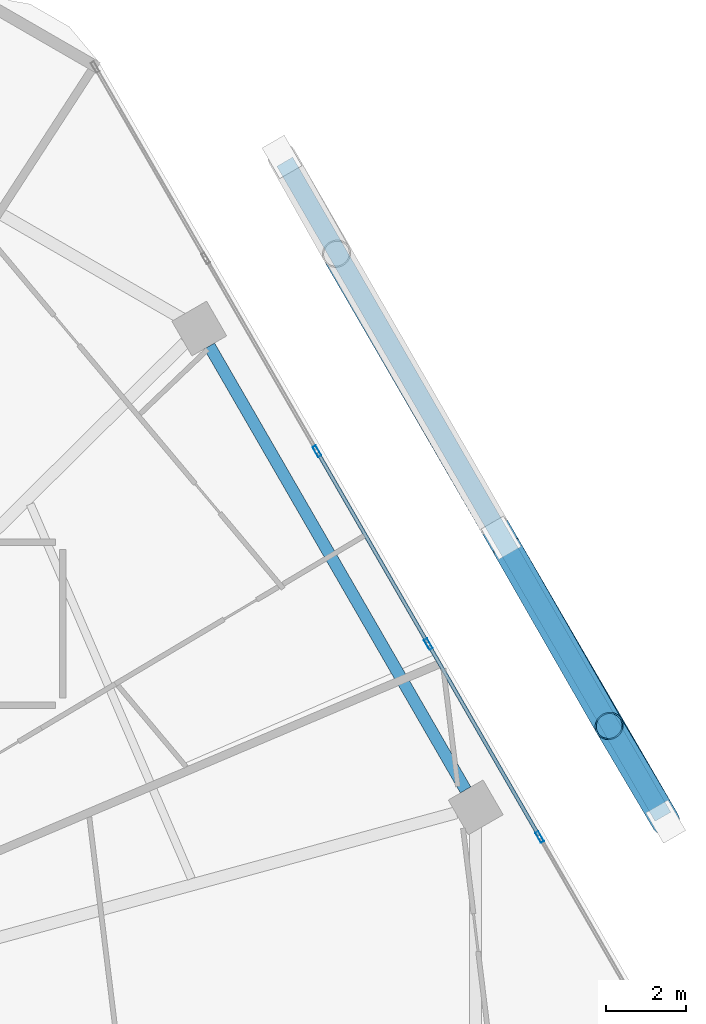
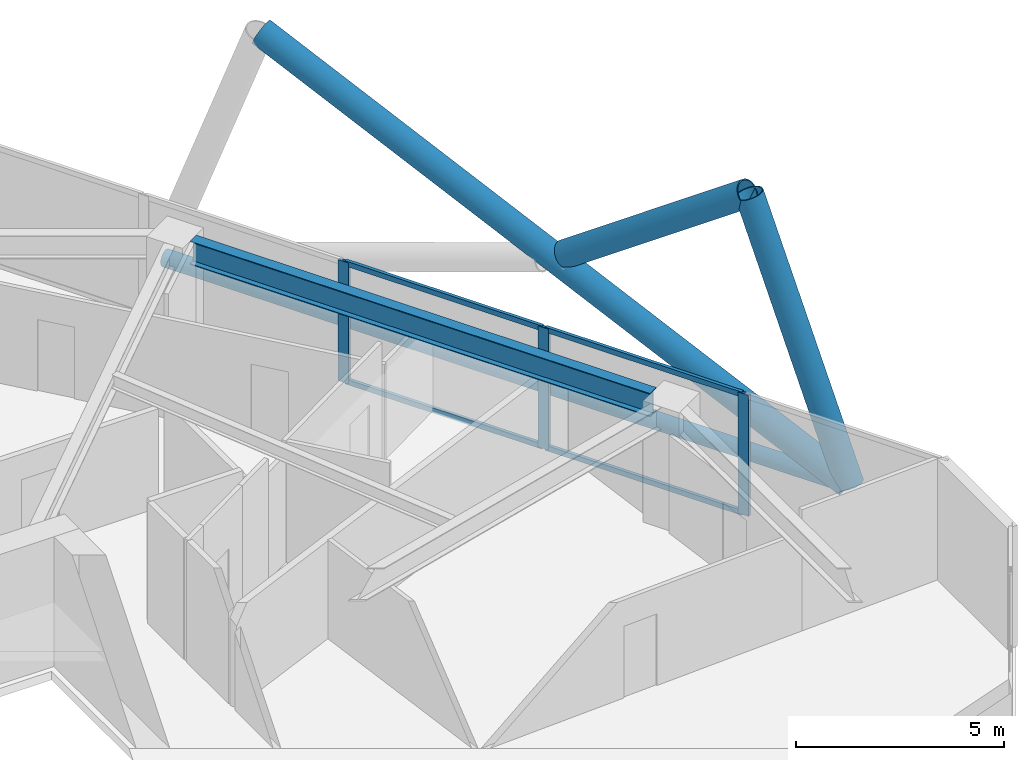
# One storey, part 16 of 29: 11 members, 1 beam, 1 element without a shape of its own.
"""IFC4 building model written with IfcOpenShell, lengths in metres."""

from ifc_helpers import new_model, si_unit, direction, frame, origin, origin_2d, place, context, subcontext, project, spatial, hollow_rectangle, hollow_circle, i_section, extrude, material, material_profile, profile_set, type_object, element, aggregate, save


model = new_model("IFC4")

# Units and contexts
model_context = context("Model", 3, precision=1e-05, world=origin(), true_north=direction((0.0, 1.0)))
body_context = subcontext(model_context, "Body", "Model", "MODEL_VIEW")
ifc_project = project(units=[si_unit("LENGTHUNIT", "METRE"), si_unit("AREAUNIT", "SQUARE_METRE"), si_unit("VOLUMEUNIT", "CUBIC_METRE"), si_unit("PLANEANGLEUNIT", "RADIAN"), si_unit("MASSUNIT", "GRAM", prefix="KILO")], contexts=[model_context])

# Site, building, storey
site_placement = place(None, origin())
site = spatial("IfcSite", under=ifc_project, at=site_placement, CompositionType="ELEMENT")
building_placement = place(site_placement, origin())
building = spatial("IfcBuilding", under=site, at=building_placement, Name="Zuhravey Tower", CompositionType="ELEMENT")
storey_placement = place(building_placement, frame((0.0, 0.0, 161.800048828125)))
storey = spatial("IfcBuildingStorey", under=building, at=storey_placement, Name="L40", CompositionType="ELEMENT", Elevation=161.800048828125)

# Curtain wall, members
ifc_material_1 = material(Name="Thermally broken anodised aluminium", Category="aluminium")
curtain_wall_type = type_object("IfcCurtainWallType", Name="Zone 1-2 Residential Curtain Wall CW3", PredefinedType="NOTDEFINED", material=ifc_material_1)
curtain_wall_placement = place(storey_placement, origin())
curtain_wall = element("IfcCurtainWall", 1, at=curtain_wall_placement, inside=storey, type_object=curtain_wall_type, Name="L40 CW3 CW-L40-F1-1", PredefinedType="NOTDEFINED")
ifc_material_2 = material(Name="Anodised aluminium", Category="aluminium")
ifc_material_profile_1 = material_profile(ifc_material_2, hollow_rectangle(XDim=0.090087890625, YDim=0.284912109375, WallThickness=0.0048828125, at=origin_2d()), Name="ALU-RHS-90x285x5")
ifc_profile_set_1 = profile_set([ifc_material_profile_1], Name="Anodised aluminium")
member_type_1 = type_object("IfcMemberType", Name="Curtain-Wall Mullion 90x180", PredefinedType="MULLION", material=ifc_profile_set_1)
member_1_placement = place(storey_placement, frame((58.155029296875, 47.992431640625, 0.0), z_axis=(0.0, 0.0, 1.0), x_axis=(0.866025138215, 0.500000459979, 0.0)))
member_1 = element("IfcMember", 2, at=member_1_placement, type_object=member_type_1, Name="CW3 mullion 3", PredefinedType="MULLION", context=body_context, shape_type="SweptSolid", body=[
    extrude(hollow_rectangle(XDim=0.090087890625, YDim=0.284912109375, WallThickness=0.0048828125, at=origin_2d()), origin(), (0.0, 0.0, 1.0), 3.550048828125),
])
member_2_placement = place(storey_placement, frame((60.92724609375, 43.190673828125, 0.0), z_axis=(0.0, 0.0, 1.0), x_axis=(0.866025138215, 0.500000459979, 0.0)))
member_2 = element("IfcMember", 3, at=member_2_placement, type_object=member_type_1, Name="CW3 mullion 4", PredefinedType="MULLION", context=body_context, shape_type="SweptSolid", body=[
    extrude(hollow_rectangle(XDim=0.090087890625, YDim=0.284912109375, WallThickness=0.0048828125, at=origin_2d()), origin(), (0.0, 0.0, 1.0), 3.550048828125),
])
member_3_placement = place(storey_placement, frame((63.699462890625, 38.38916015625, 0.0), z_axis=(0.0, 0.0, 1.0), x_axis=(0.866025138215, 0.500000459979, 0.0)))
member_3 = element("IfcMember", 4, at=member_3_placement, type_object=member_type_1, Name="CW3 mullion 5", PredefinedType="MULLION", context=body_context, shape_type="SweptSolid", body=[
    extrude(hollow_rectangle(XDim=0.090087890625, YDim=0.284912109375, WallThickness=0.0048828125, at=origin_2d()), origin(), (0.0, 0.0, 1.0), 3.550048828125),
])
ifc_material_profile_2 = material_profile(ifc_material_2, hollow_rectangle(XDim=0.090087890625, YDim=0.14990234375, WallThickness=0.0048828125, at=origin_2d()), Name="ALU-RHS-90x150x5")
ifc_profile_set_2 = profile_set([ifc_material_profile_2], Name="Anodised aluminium")
member_type_2 = type_object("IfcMemberType", Name="Curtain-Wall Transom 90x150", PredefinedType="USERDEFINED", material=ifc_profile_set_2)
member_4_placement = place(storey_placement, frame((58.177734375, 47.953369140625, 0.044921875), z_axis=(0.499980763544, -0.866036509673, 0.0), x_axis=(0.866036509673, 0.499980763544, 0.0)))
member_4 = element("IfcMember", 5, at=member_4_placement, type_object=member_type_2, Name="CW3 transom 3.1", ObjectType="TRANSOM", PredefinedType="USERDEFINED", context=body_context, shape_type="SweptSolid", body=[
    extrude(hollow_rectangle(XDim=0.090087890625, YDim=0.14990234375, WallThickness=0.0048828125, at=origin_2d()), origin(), (0.0, 0.0, 1.0), 5.454345703125),
])
member_5_placement = place(storey_placement, frame((58.177734375, 47.953369140625, 3.5048828125), z_axis=(0.499980763544, -0.866036509673, 0.0), x_axis=(0.866036509673, 0.499980763544, 0.0)))
member_5 = element("IfcMember", 6, at=member_5_placement, type_object=member_type_2, Name="CW3 transom 3.2", ObjectType="TRANSOM", PredefinedType="USERDEFINED", context=body_context, shape_type="SweptSolid", body=[
    extrude(hollow_rectangle(XDim=0.090087890625, YDim=0.14990234375, WallThickness=0.0048828125, at=origin_2d()), origin(), (0.0, 0.0, 1.0), 5.454345703125),
])
member_6_placement = place(storey_placement, frame((60.949951171875, 43.15185546875, 0.044921875), z_axis=(0.49996138257, -0.86604769842, 0.0), x_axis=(0.86604769842, 0.49996138257, 0.0)))
member_6 = element("IfcMember", 7, at=member_6_placement, type_object=member_type_2, Name="CW3 transom 4.1", ObjectType="TRANSOM", PredefinedType="USERDEFINED", context=body_context, shape_type="SweptSolid", body=[
    extrude(hollow_rectangle(XDim=0.090087890625, YDim=0.14990234375, WallThickness=0.0048828125, at=origin_2d()), origin(), (0.0, 0.0, 1.0), 5.45458984375),
])
member_7_placement = place(storey_placement, frame((60.949951171875, 43.15185546875, 3.5048828125), z_axis=(0.49996138257, -0.86604769842, 0.0), x_axis=(0.86604769842, 0.49996138257, 0.0)))
member_7 = element("IfcMember", 8, at=member_7_placement, type_object=member_type_2, Name="CW3 transom 4.2", ObjectType="TRANSOM", PredefinedType="USERDEFINED", context=body_context, shape_type="SweptSolid", body=[
    extrude(hollow_rectangle(XDim=0.090087890625, YDim=0.14990234375, WallThickness=0.0048828125, at=origin_2d()), origin(), (0.0, 0.0, 1.0), 5.45458984375),
])
aggregate(curtain_wall, [member_1, member_2, member_3, member_4, member_5, member_6, member_7])

# Members
ifc_material_3 = material(Name="Steel SM355", Category="steel")
ifc_material_profile_3 = material_profile(ifc_material_3, hollow_circle(Radius=0.228515625, WallThickness=0.02197265625, at=origin_2d()), Name="CHS-457.2x22")
ifc_profile_set_3 = profile_set([ifc_material_profile_3], Name="Steel SM355")
member_type_3 = type_object("IfcMemberType", Name="Exoskeleton Ring Tie CHS457x22", PredefinedType="CHORD", material=ifc_profile_set_3)
member_8_placement = place(storey_placement, frame((66.768798828125, 38.892822265625, -0.464111328125), z_axis=(-0.499989194203, 0.866031642424, 0.0), x_axis=(-0.866031642424, -0.499989194203, 0.0)))
element("IfcMember", 9, at=member_8_placement, inside=storey, type_object=member_type_3, Name="L40 Exoskeleton Face 1 Tie EXR1", PredefinedType="CHORD", context=body_context, shape_type="SweptSolid", body=[
    extrude(hollow_circle(Radius=0.228515625, WallThickness=0.02197265625, at=origin_2d()), origin(), (0.0, 0.0, 1.0), 18.830078125),
])
ifc_material_4 = material(Name="Steel SM460", Category="steel")
ifc_material_profile_4 = material_profile(ifc_material_4, hollow_circle(Radius=0.355712890625, WallThickness=0.031982421875, at=origin_2d()), Name="CHS-711.2x32")
ifc_profile_set_4 = profile_set([ifc_material_profile_4], Name="Steel SM460")
member_type_4 = type_object("IfcMemberType", Name="Exoskeleton Zone 2 Diagrid CHS711x32", PredefinedType="BRACE", material=ifc_profile_set_4)
member_9_placement = place(storey_placement, frame((66.835205078125, 38.778076171875, -0.444091796875), z_axis=(-0.174643023153, 0.295076026787, 0.939377428343), x_axis=(-0.8605687688, -0.509334265651, 0.0)))
element("IfcMember", 10, at=member_9_placement, inside=storey, type_object=member_type_4, Name="L40 Face 1 Diagrid Brace 1", PredefinedType="BRACE", context=body_context, shape_type="SweptSolid", body=[
    extrude(hollow_circle(Radius=0.355712890625, WallThickness=0.031982421875, at=origin_2d()), origin(), (0.0, 0.0, 1.0), 8.0478515625),
])
member_10_placement = place(storey_placement, frame((66.8173828125, 38.808837890625, -0.444091796875), z_axis=(-0.454785576213, 0.78437094183, 0.421820228629), x_axis=(-0.865102775401, -0.501594645101, 0.0)))
element("IfcMember", 11, at=member_10_placement, inside=storey, type_object=member_type_4, Name="L40 Face 1 Diagrid Brace 2", PredefinedType="BRACE", context=body_context, shape_type="SweptSolid", body=[
    extrude(hollow_circle(Radius=0.355712890625, WallThickness=0.031982421875, at=origin_2d()), origin(), (0.0, 0.0, 1.0), 17.92236328125),
])
member_11_placement = place(storey_placement, frame((62.882568359375, 45.593017578125, 3.534912109375), z_axis=(0.4067400645, -0.709139381171, 0.575920010074), x_axis=(0.867442364566, 0.497537681141, 0.0)))
element("IfcMember", 12, at=member_11_placement, inside=storey, type_object=member_type_4, Name="L40 Face 1 Split Diagrid Brace 3B", PredefinedType="BRACE", context=body_context, shape_type="SweptSolid", body=[
    extrude(hollow_circle(Radius=0.355712890625, WallThickness=0.031982421875, at=origin_2d()), origin(), (0.0, 0.0, 1.0), 6.205322265625),
])

# Beam
ifc_material_profile_5 = material_profile(ifc_material_3, i_section(OverallWidth=0.300048828125, OverallDepth=0.679931640625, WebThickness=0.012939453125, FlangeThickness=0.02197265625, at=origin_2d()), Name="H-680x300x13x22")
ifc_profile_set_5 = profile_set([ifc_material_profile_5], Name="Steel SM355")
beam_type = type_object("IfcBeamType", Name="Perimeter Ring Beam H680x300", PredefinedType="BEAM", material=ifc_profile_set_5)
beam_placement = place(storey_placement, frame((61.856201171875, 39.56201171875, 3.2099609375), z_axis=(-0.499997974489, 0.866026573211, 0.0), x_axis=(-0.866026573211, -0.499997974489, 0.0)))
element("IfcBeam", 13, at=beam_placement, inside=storey, type_object=beam_type, Name="L40 PB2 BM-L40-PB-01", PredefinedType="BEAM", context=body_context, shape_type="SweptSolid", body=[
    extrude(i_section(OverallWidth=0.300048828125, OverallDepth=0.679931640625, WebThickness=0.012939453125, FlangeThickness=0.02197265625, at=origin_2d()), origin(), (0.0, 0.0, 1.0), 12.75830078125),
])

save(model, "model.ifc")
